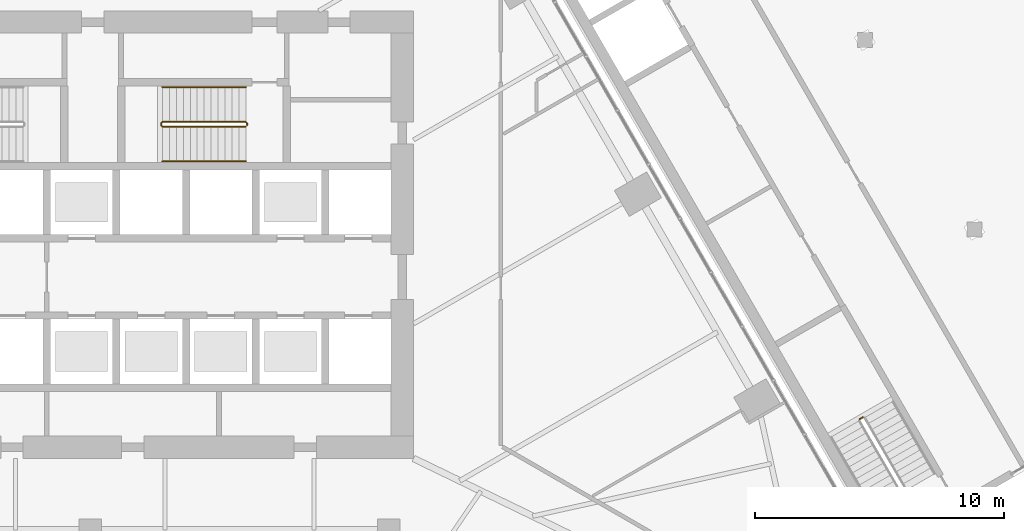
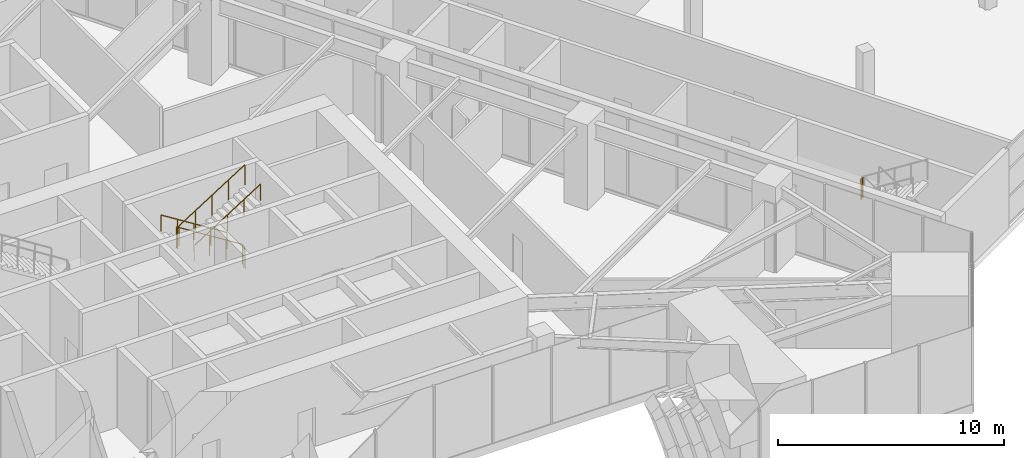
# One storey, part 24 of 29: 4 railings.
"""IFC4 building model written with IfcOpenShell, lengths in metres."""

from ifc_helpers import new_model, si_unit, direction, frame, origin, origin_2d, place, context, subcontext, project, spatial, circle, extrude, material, type_object, element, save


model = new_model("IFC4")

# Units and contexts
model_context = context("Model", 3, precision=1e-05, world=origin(), true_north=direction((0.0, 1.0)))
body_context = subcontext(model_context, "Body", "Model", "MODEL_VIEW")
ifc_project = project(units=[si_unit("LENGTHUNIT", "METRE"), si_unit("AREAUNIT", "SQUARE_METRE"), si_unit("VOLUMEUNIT", "CUBIC_METRE"), si_unit("PLANEANGLEUNIT", "RADIAN"), si_unit("MASSUNIT", "GRAM", prefix="KILO")], contexts=[model_context])

# Site, building, storey
site_placement = place(None, origin())
site = spatial("IfcSite", under=ifc_project, at=site_placement, CompositionType="ELEMENT")
building_placement = place(site_placement, origin())
building = spatial("IfcBuilding", under=site, at=building_placement, Name="Firuza Gate Tower and Library", CompositionType="ELEMENT")
storey_placement = place(building_placement, frame((0.0, 0.0, 8.0)))
storey = spatial("IfcBuildingStorey", under=building, at=storey_placement, Name="L01", CompositionType="ELEMENT", Elevation=8.0)

# Railings
ifc_material_1 = material(Name="Steel S355", Category="steel")
railing_type_1 = type_object("IfcRailingType", Name="LIB GUARD", PredefinedType="GUARDRAIL", material=ifc_material_1)
railing_1_placement = place(storey_placement, frame((106.066650390625, 67.659912109375, 2.300048828125)))
element("IfcRailing", 1, at=railing_1_placement, inside=storey, type_object=railing_type_1, Name="L01 LIB-ST-B stair guard 2", PredefinedType="GUARDRAIL", context=body_context, shape_type="SweptSolid", body=[
    extrude(circle(Radius=0.02392578125, at=origin_2d()), frame((0.0, 0.0, 1.076171875), z_axis=(-0.866131372301, -0.499816412211, 0.0), x_axis=(0.499816412211, -0.866131372301, 0.0)), (0.0, 0.0, 1.0), 0.14990234375),
    extrude(circle(Radius=0.02099609375, at=origin_2d()), origin(), (0.0, 0.0, 1.0), 1.052001953125),
    extrude(circle(Radius=0.02099609375, at=origin_2d()), frame((-0.1298828125, -0.074951171875, 0.0)), (0.0, 0.0, 1.0), 1.052001953125),
])
ifc_material_2 = material(Name="Steel S355", Category="steel")
railing_type_2 = type_object("IfcRailingType", Name="Stair guard 1100", PredefinedType="GUARDRAIL", material=ifc_material_2)
railing_2_placement = place(storey_placement, frame((81.31005859375, 79.489990234375, 0.0)))
element("IfcRailing", 2, at=railing_2_placement, inside=storey, type_object=railing_type_2, Name="L01 ST2 stair guard 1", PredefinedType="GUARDRAIL", context=body_context, shape_type="SweptSolid", body=[
    extrude(circle(Radius=0.02392578125, at=origin_2d()), frame((0.0, 0.0, 1.076171875), z_axis=(0.0, -1.0, 0.0), x_axis=(1.0, 0.0, 0.0)), (0.0, 0.0, 1.0), 0.10009765625),
    extrude(circle(Radius=0.02392578125, at=origin_2d()), frame((0.0, -0.10009765625, 1.076171875), z_axis=(-0.210783682489, 0.632351047466, 0.74545448685), x_axis=(-0.948683298051, -0.316227766017, 0.0)), (0.0, 0.0, 1.0), 0.237548828125),
    extrude(circle(Radius=0.02392578125, at=origin_2d()), frame((-0.050048828125, 0.050048828125, 1.2529296875), z_axis=(-0.845389635667, 0.0, 0.534150132366), x_axis=(0.0, -1.0, 0.0)), (0.0, 0.0, 1.0), 3.974609375),
    extrude(circle(Radius=0.02392578125, at=origin_2d()), frame((-3.41015625, 0.050048828125, 3.3759765625), z_axis=(-0.705375805398, -0.708833529934, 0.0), x_axis=(0.708833529934, -0.705375805398, 0.0)), (0.0, 0.0, 1.0), 0.070556640625),
    extrude(circle(Radius=0.02392578125, at=origin_2d()), frame((-3.4599609375, 0.0, 3.3759765625), z_axis=(0.0, -1.0, 0.0), x_axis=(1.0, 0.0, 0.0)), (0.0, 0.0, 1.0), 0.10009765625),
    extrude(circle(Radius=0.02392578125, at=origin_2d()), frame((-3.4599609375, -0.10009765625, 3.3759765625), z_axis=(0.261751942683, -0.261751942683, 0.928962776974), x_axis=(0.707106781187, 0.707106781187, 0.0)), (0.0, 0.0, 1.0), 0.190185546875),
    extrude(circle(Radius=0.02392578125, at=origin_2d()), frame((-3.41015625, -0.14990234375, 3.552734375), z_axis=(0.845361898145, 0.0, 0.534194029511), x_axis=(0.0, 1.0, 0.0)), (0.0, 0.0, 1.0), 3.974853515625),
    extrude(circle(Radius=0.02099609375, at=origin_2d()), origin(), (0.0, 0.0, 1.0), 1.052001953125),
    extrude(circle(Radius=0.02099609375, at=origin_2d()), frame((0.0, -0.10009765625, 0.0)), (0.0, 0.0, 1.0), 1.052001953125),
    extrude(circle(Radius=0.02099609375, at=origin_2d()), frame((-0.050048828125, 0.050048828125, 0.177001953125)), (0.0, 0.0, 1.0), 1.052001953125),
    extrude(circle(Radius=0.02099609375, at=origin_2d()), frame((-0.89013671875, 0.050048828125, 0.707763671875)), (0.0, 0.0, 1.0), 1.052001953125),
    extrude(circle(Radius=0.02099609375, at=origin_2d()), frame((-1.72998046875, 0.050048828125, 1.238525390625)), (0.0, 0.0, 1.0), 1.052001953125),
    extrude(circle(Radius=0.02099609375, at=origin_2d()), frame((-2.570068359375, 0.050048828125, 1.769287109375)), (0.0, 0.0, 1.0), 1.052001953125),
    extrude(circle(Radius=0.02099609375, at=origin_2d()), frame((-3.41015625, 0.050048828125, 2.300048828125)), (0.0, 0.0, 1.0), 1.052001953125),
    extrude(circle(Radius=0.02099609375, at=origin_2d()), frame((-3.4599609375, 0.0, 2.300048828125)), (0.0, 0.0, 1.0), 1.052001953125),
    extrude(circle(Radius=0.02099609375, at=origin_2d()), frame((-3.4599609375, -0.10009765625, 2.300048828125)), (0.0, 0.0, 1.0), 1.052001953125),
    extrude(circle(Radius=0.02099609375, at=origin_2d()), frame((-3.41015625, -0.14990234375, 2.476806640625)), (0.0, 0.0, 1.0), 1.052001953125),
    extrude(circle(Radius=0.02099609375, at=origin_2d()), frame((-2.570068359375, -0.14990234375, 3.007568359375)), (0.0, 0.0, 1.0), 1.052001953125),
    extrude(circle(Radius=0.02099609375, at=origin_2d()), frame((-1.72998046875, -0.14990234375, 3.53857421875)), (0.0, 0.0, 1.0), 1.052001953125),
    extrude(circle(Radius=0.02099609375, at=origin_2d()), frame((-0.89013671875, -0.14990234375, 4.0693359375)), (0.0, 0.0, 1.0), 1.052001953125),
    extrude(circle(Radius=0.02099609375, at=origin_2d()), frame((-0.050048828125, -0.14990234375, 4.60009765625)), (0.0, 0.0, 1.0), 1.052001953125),
])
ifc_material_3 = material(Name="Steel S355", Category="steel")
railing_type_3 = type_object("IfcRailingType", Name="Stair handrail 900", PredefinedType="HANDRAIL", material=ifc_material_3)
railing_3_placement = place(storey_placement, frame((81.260009765625, 80.929931640625, 0.177001953125)))
element("IfcRailing", 3, at=railing_3_placement, inside=storey, type_object=railing_type_3, Name="L01 ST2 stair handrail 1", PredefinedType="HANDRAIL", context=body_context, shape_type="SweptSolid", body=[
    extrude(circle(Radius=0.02392578125, at=origin_2d()), frame((0.0, 0.0, 0.8759765625), z_axis=(-0.845389635667, 0.0, 0.534150132366), x_axis=(0.0, -1.0, 0.0)), (0.0, 0.0, 1.0), 3.974609375),
    extrude(circle(Radius=0.02099609375, at=origin_2d()), origin(), (0.0, 0.0, 1.0), 0.851806640625),
    extrude(circle(Radius=0.02099609375, at=origin_2d()), frame((-0.840087890625, 0.0, 0.53076171875)), (0.0, 0.0, 1.0), 0.851806640625),
    extrude(circle(Radius=0.02099609375, at=origin_2d()), frame((-1.68017578125, 0.0, 1.0615234375)), (0.0, 0.0, 1.0), 0.851806640625),
    extrude(circle(Radius=0.02099609375, at=origin_2d()), frame((-2.52001953125, 0.0, 1.59228515625)), (0.0, 0.0, 1.0), 0.851806640625),
    extrude(circle(Radius=0.02099609375, at=origin_2d()), frame((-3.360107421875, 0.0, 2.123046875)), (0.0, 0.0, 1.0), 0.851806640625),
])
railing_4_placement = place(storey_placement, frame((77.89990234375, 77.949951171875, 2.476806640625)))
element("IfcRailing", 4, at=railing_4_placement, inside=storey, type_object=railing_type_3, Name="L01 ST2 stair handrail 2", PredefinedType="HANDRAIL", context=body_context, shape_type="SweptSolid", body=[
    extrude(circle(Radius=0.02392578125, at=origin_2d()), frame((0.0, 0.0, 0.8759765625), z_axis=(0.845361898145, 0.0, 0.534194029511), x_axis=(0.0, 1.0, 0.0)), (0.0, 0.0, 1.0), 3.974853515625),
    extrude(circle(Radius=0.02099609375, at=origin_2d()), origin(), (0.0, 0.0, 1.0), 0.851806640625),
    extrude(circle(Radius=0.02099609375, at=origin_2d()), frame((0.840087890625, 0.0, 0.53076171875)), (0.0, 0.0, 1.0), 0.851806640625),
    extrude(circle(Radius=0.02099609375, at=origin_2d()), frame((1.68017578125, 0.0, 1.0615234375)), (0.0, 0.0, 1.0), 0.851806640625),
    extrude(circle(Radius=0.02099609375, at=origin_2d()), frame((2.52001953125, 0.0, 1.592529296875)), (0.0, 0.0, 1.0), 0.851806640625),
    extrude(circle(Radius=0.02099609375, at=origin_2d()), frame((3.360107421875, 0.0, 2.123291015625)), (0.0, 0.0, 1.0), 0.851806640625),
])

save(model, "model.ifc")
